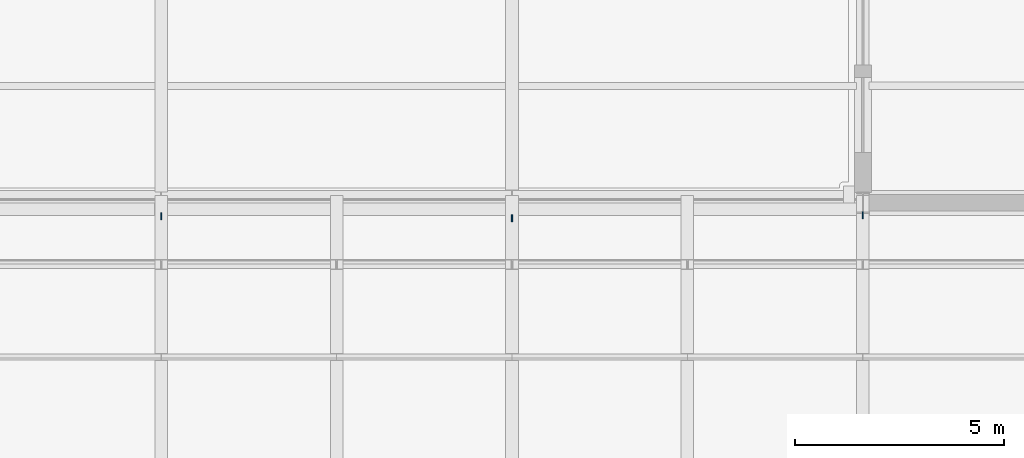
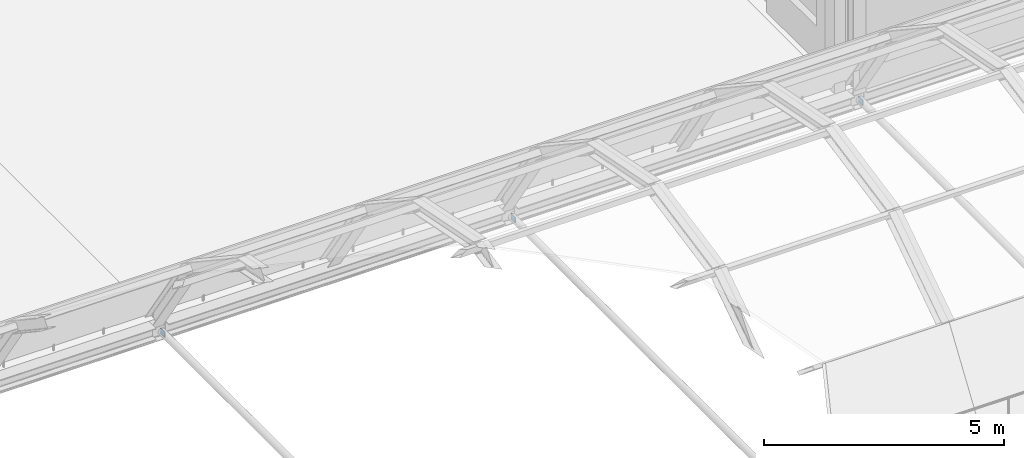
# One storey, part 48 of 58: 3 discrete accessories.
"""IFC4 building model written with IfcOpenShell, lengths in metres."""

import ifcopenshell
import ifcopenshell.guid

model = None  # the IFC model being written
_history = None  # IfcOwnerHistory: only IFC2X3 demands one
_inside = {}  # id of a spatial element -> (the spatial element, [elements in it])
_under = {}  # id of a project, library or spatial element -> (it, [spatial elements below it])
_declared = {}  # id of a project -> (the project, [libraries it declares])
_typed = {}  # id of a type object -> (the type object, [elements of that type])
_made_of = {}  # id of a material, layer set ... -> (it, [elements and type objects made of it])


def new_model(schema):
    """Start an empty IFC model of exactly this schema.

    Asked for "IFC4X3", IfcOpenShell would pick the latest addendum, in which some entities
    have other attributes; the version numbers below select the first issue.
    IFC2X3 requires an IfcOwnerHistory on every rooted entity: one is made here for all.
    """
    global model, _history
    if schema == "IFC4X3":
        model = ifcopenshell.file(schema_version=(4, 3, 0, 0))
    else:
        model = ifcopenshell.file(schema=schema)
    _inside.clear()
    _under.clear()
    _declared.clear()
    _typed.clear()
    _made_of.clear()
    _history = None
    if model.schema == "IFC2X3":
        org = make("IfcOrganization", Name="unknown")
        user = make(
            "IfcPersonAndOrganization",
            ThePerson=make("IfcPerson", FamilyName="unknown"),
            TheOrganization=org,
        )
        app = make(
            "IfcApplication",
            ApplicationDeveloper=org,
            Version="unknown",
            ApplicationFullName="unknown",
            ApplicationIdentifier="unknown",
        )
        _history = make(
            "IfcOwnerHistory",
            OwningUser=user,
            OwningApplication=app,
            ChangeAction="ADDED",
            CreationDate=0,
        )
    return model


def make(cls, **values):
    """One entity of the class cls with the attributes given. An attribute that is None is left unset."""
    return model.create_entity(
        cls, **{name: value for name, value in values.items() if value is not None}
    )


def rooted(cls, **values):
    """An entity with a GlobalId (a new one), such as an element, a storey or a relation."""
    return make(cls, GlobalId=ifcopenshell.guid.new(), OwnerHistory=_history, **values)


def si_unit(unit_type, name, prefix=None):
    """IfcSIUnit, for example si_unit("LENGTHUNIT", "METRE", prefix="MILLI")."""
    return make("IfcSIUnit", UnitType=unit_type, Prefix=prefix, Name=name)


def assignment(units):
    """IfcUnitAssignment: the units of a project."""
    return None if units is None else make("IfcUnitAssignment", Units=units)


def point(xyz):
    """IfcCartesianPoint."""
    return None if xyz is None else make("IfcCartesianPoint", Coordinates=xyz)


def direction(xyz):
    """IfcDirection."""
    return None if xyz is None else make("IfcDirection", DirectionRatios=xyz)


def frame(location, z_axis=None, x_axis=None):
    """IfcAxis2Placement3D, a coordinate frame: its origin and axes. An axis left out is left unset."""
    return make(
        "IfcAxis2Placement3D",
        Location=point(location),
        Axis=direction(z_axis),
        RefDirection=direction(x_axis),
    )


def frame_2d(location, x_axis=None):
    """IfcAxis2Placement2D, a coordinate frame in the plane: its origin and x axis."""
    return make(
        "IfcAxis2Placement2D", Location=point(location), RefDirection=direction(x_axis)
    )


def origin():
    """The frame at (0, 0, 0) with its axes left unset."""
    return frame((0.0, 0.0, 0.0))


def origin_2d():
    """The frame at (0, 0) in the plane with its x axis left unset."""
    return frame_2d((0.0, 0.0))


def place(relative_to, where):
    """IfcLocalPlacement: puts the frame where relative to a parent placement (None: the world)."""
    return make(
        "IfcLocalPlacement", PlacementRelTo=relative_to, RelativePlacement=where
    )


def context(
    kind, dimensions, precision=None, world=None, true_north=None, identifier=None
):
    """IfcGeometricRepresentationContext, for example the 3D "Model" context."""
    return make(
        "IfcGeometricRepresentationContext",
        ContextIdentifier=identifier,
        ContextType=kind,
        CoordinateSpaceDimension=dimensions,
        Precision=precision,
        WorldCoordinateSystem=world,
        TrueNorth=true_north,
    )


def subcontext(parent, identifier, kind, view, scale=None):
    """IfcGeometricRepresentationSubContext, for example "Body" below "Model"."""
    return make(
        "IfcGeometricRepresentationSubContext",
        ContextIdentifier=identifier,
        ContextType=kind,
        ParentContext=parent,
        TargetScale=scale,
        TargetView=view,
    )


def project(units=None, contexts=None):
    """IfcProject with its units and contexts."""
    return rooted(
        "IfcProject",
        Name="project",
        RepresentationContexts=contexts,
        UnitsInContext=assignment(units),
    )


def spatial(cls, under=None, at=None, **own):
    """A site, building, storey or space (cls), placed at a placement, below another one or the project."""
    s = rooted(cls, ObjectPlacement=at, **own)
    if under is not None:
        _under.setdefault(under.id(), (under, []))[1].append(s)
    return s


def profile(cls, at=None, kind="AREA", **sizes):
    """A parametric profile (cls). Its sizes go by their IFC names, for example OverallWidth=200.0."""
    return make(cls, ProfileType=kind, Position=at, **sizes)


def rectangle(**sizes):
    """IfcRectangleProfileDef."""
    return profile("IfcRectangleProfileDef", **sizes)


def extrude(swept, where, along, depth):
    """IfcExtrudedAreaSolid: the profile swept, set in the frame where, extruded along a direction by depth."""
    return make(
        "IfcExtrudedAreaSolid",
        SweptArea=swept,
        Position=where,
        ExtrudedDirection=direction(along),
        Depth=depth,
    )


def shape(context_of_items, identifier, shape_type, items):
    """IfcShapeRepresentation: the items that make up one representation, for example the "Body"."""
    return make(
        "IfcShapeRepresentation",
        ContextOfItems=context_of_items,
        RepresentationIdentifier=identifier,
        RepresentationType=shape_type,
        Items=items,
    )


def material(Name=None, Category=None):
    """IfcMaterial."""
    return make("IfcMaterial", Name=Name, Category=Category)


def layer(
    of_material, thickness, ventilated=None, Name=None, Category=None, Priority=None
):
    """IfcMaterialLayer: one layer of a wall or slab, of a material (None: an air gap)."""
    return make(
        "IfcMaterialLayer",
        Material=of_material,
        LayerThickness=thickness,
        IsVentilated=ventilated,
        Name=Name,
        Category=Category,
        Priority=Priority,
    )


def layer_set(layers, Name=None):
    """IfcMaterialLayerSet."""
    return make("IfcMaterialLayerSet", MaterialLayers=layers, LayerSetName=Name)


def made_of(thing, what):
    """Note that an element or type object is made of a material, layer set ...; save() writes the relation."""
    if what is not None:
        _made_of.setdefault(what.id(), (what, []))[1].append(thing)
    return thing


def type_object(cls, material=None, **own):
    """A type object (cls), such as IfcWallType, which elements share."""
    return made_of(rooted(cls, **own), material)


def element(
    cls,
    number,
    at=None,
    inside=None,
    cuts=None,
    type_object=None,
    material=None,
    context=None,
    identifier="Body",
    shape_type=None,
    held_by="IfcProductDefinitionShape",
    body=None,
    shapes=None,
    **own,
):
    """One element of the class cls, such as IfcWall. Its Tag is "e" and its number.

    at: its placement. inside: the storey or other place that contains it. cuts: it is an
    opening in that element (IfcRelVoidsElement). A single representation is given by context,
    identifier, shape_type and body (its items); several are given by shapes. held_by: the class
    of the entity that holds the representations. save() writes the other relations.
    """
    e = rooted(cls, Tag="e%d" % number, ObjectPlacement=at, **own)
    if body is not None:
        shapes = [shape(context, identifier, shape_type, body)]
    if shapes is not None:
        e.Representation = make(held_by, Representations=shapes)
    if inside is not None:
        _inside.setdefault(inside.id(), (inside, []))[1].append(e)
    if cuts is not None:
        rooted(
            "IfcRelVoidsElement", RelatingBuildingElement=cuts, RelatedOpeningElement=e
        )
    if type_object is not None:
        _typed.setdefault(type_object.id(), (type_object, []))[1].append(e)
    return made_of(e, material)


def aggregate(whole, parts):
    """IfcRelAggregates: a whole, such as a stair, and the parts it consists of."""
    return rooted("IfcRelAggregates", RelatingObject=whole, RelatedObjects=parts)


def save(model, path):
    """Write the relations noted so far, then the file.

    IfcRelAggregates (storeys below a building ...), IfcRelContainedInSpatialStructure (elements
    in a storey), IfcRelDefinesByType, IfcRelAssociatesMaterial and IfcRelDeclares: one each for
    every whole, place, type object, material and project.
    """
    for whole, parts in _under.values():
        aggregate(whole, parts)
    for where, things in _inside.values():
        rooted(
            "IfcRelContainedInSpatialStructure",
            RelatedElements=things,
            RelatingStructure=where,
        )
    for kind, things in _typed.values():
        rooted("IfcRelDefinesByType", RelatedObjects=things, RelatingType=kind)
    for what, things in _made_of.values():
        rooted("IfcRelAssociatesMaterial", RelatedObjects=things, RelatingMaterial=what)
    for by, libraries in _declared.values():
        rooted("IfcRelDeclares", RelatingContext=by, RelatedDefinitions=libraries)
    model.write(path)


model = new_model("IFC4")

# Units and contexts
model_context = context("Model", 3, precision=1e-05, world=origin(), true_north=direction((0.0, 1.0)))
body_context = subcontext(model_context, "Body", "Model", "MODEL_VIEW")
ifc_project = project(units=[si_unit("LENGTHUNIT", "METRE"), si_unit("AREAUNIT", "SQUARE_METRE"), si_unit("VOLUMEUNIT", "CUBIC_METRE"), si_unit("PLANEANGLEUNIT", "RADIAN"), si_unit("MASSUNIT", "GRAM", prefix="KILO")], contexts=[model_context])

# Site, building, storey
site_placement = place(None, origin())
site = spatial("IfcSite", under=ifc_project, at=site_placement, CompositionType="ELEMENT")
building_placement = place(site_placement, origin())
building = spatial("IfcBuilding", under=site, at=building_placement, Name="Galleria Vessillo Department Store", CompositionType="ELEMENT")
storey_placement = place(building_placement, frame((0.0, 0.0, 31.199951171875)))
storey = spatial("IfcBuildingStorey", under=building, at=storey_placement, Name="L06", CompositionType="ELEMENT", Elevation=31.199951171875)

# Discrete accessories
ifc_material_1 = material(Name="Steel S355 J2", Category="steel")
ifc_layer_1 = layer(ifc_material_1, 0.02490234375)
ifc_layer_set_1 = layer_set([ifc_layer_1], Name="Steel S355 J2")
discrete_accessory_type_1 = type_object("IfcDiscreteAccessoryType", Name="Vault tie cast-in and shear bracket CN16", PredefinedType="BRACKET", material=ifc_layer_set_1)
discrete_accessory_placement = place(storey_placement, frame((84.0, 37.5009765625, -0.224853515625), z_axis=(0.0, 0.0, 1.0), x_axis=(1.0, 0.0, 0.0)))
element("IfcDiscreteAccessory", 1, at=discrete_accessory_placement, inside=storey, type_object=discrete_accessory_type_1, Name="Vault tie connection bracket S-VT-0840 north", PredefinedType="BRACKET", context=body_context, shape_type="SweptSolid", body=[
    extrude(rectangle(XDim=0.02490234375, YDim=0.159912109375, at=origin_2d()), origin(), (0.0, 0.0, 1.0), 0.14990234375),
])
ifc_material_2 = material(Name="Steel S355 J2", Category="steel")
ifc_layer_2 = layer(ifc_material_2, 0.02490234375)
ifc_layer_set_2 = layer_set([ifc_layer_2], Name="Steel S355 J2")
discrete_accessory_type_2 = type_object("IfcDiscreteAccessoryType", Name="Vault tie gusset and cap bracket CN15", PredefinedType="BRACKET", material=ifc_layer_set_2)
for number, where, z_axis, x_axis, name in (
    (2, (67.199951171875, 37.47802734375, -0.224853515625), (0.0, 0.0, 1.0), (1.0, 0.0, 0.0), "Vault tie connection bracket S-VT-0672 north"),
    (3, (75.60009765625, 37.429931640625, -0.224853515625), (0.0, 0.0, 1.0), (1.0, 0.0, 0.0), "Vault tie connection bracket S-VT-0756 north"),
):
    element("IfcDiscreteAccessory", number, at=place(storey_placement, frame(where, z_axis=z_axis, x_axis=x_axis)), inside=storey, type_object=discrete_accessory_type_2, Name=name, PredefinedType="BRACKET", context=body_context, shape_type="SweptSolid", body=[
        extrude(rectangle(XDim=0.02490234375, YDim=0.159912109375, at=origin_2d()), origin(), (0.0, 0.0, 1.0), 0.14990234375),
    ])

save(model, "model.ifc")
